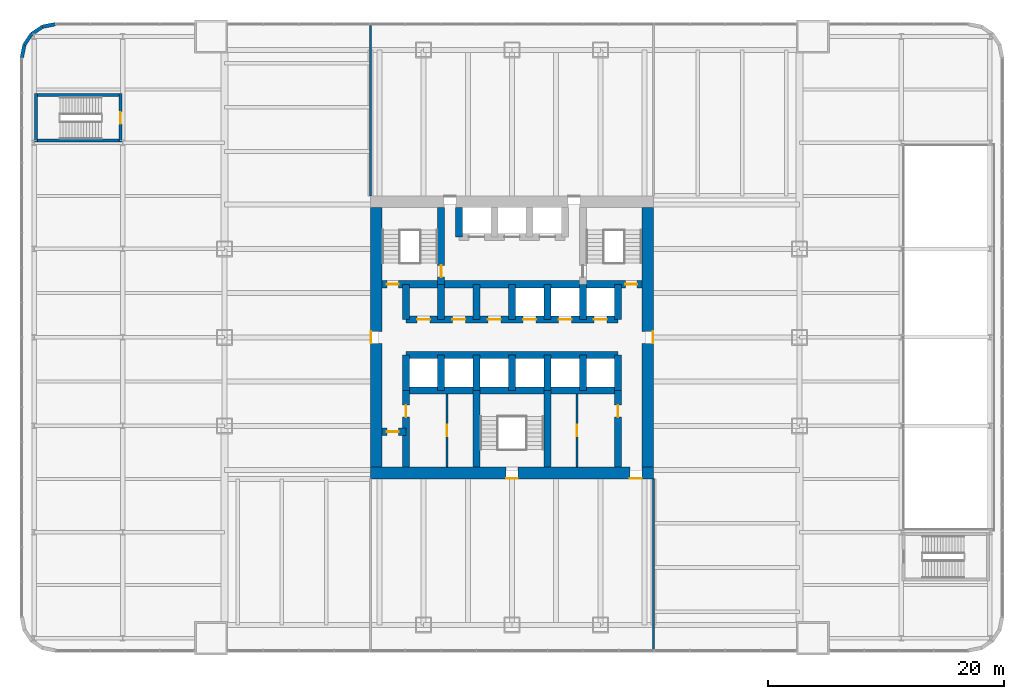
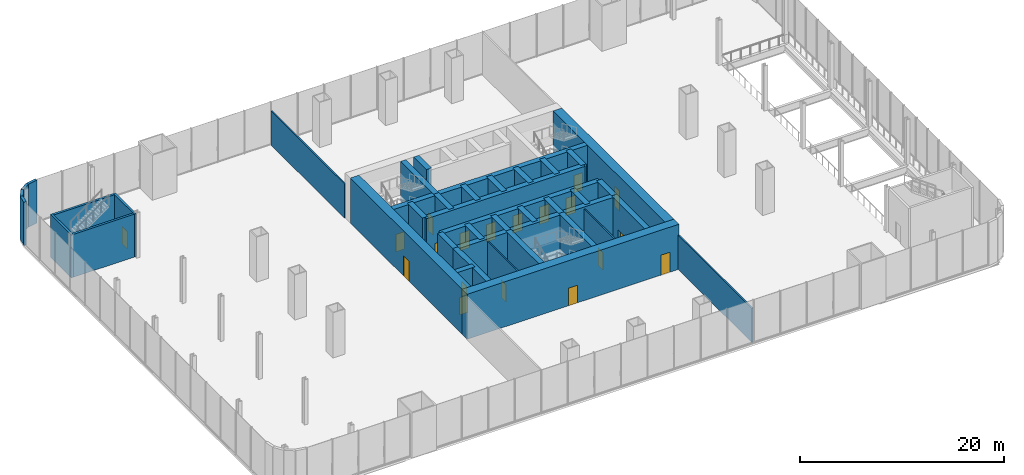
# One storey, part 12 of 16: 40 walls, 19 doors, 19 openings.
"""IFC4 building model written with IfcOpenShell, lengths in metres."""

import ifcopenshell
import ifcopenshell.guid

model = None  # the IFC model being written
_history = None  # IfcOwnerHistory: only IFC2X3 demands one
_inside = {}  # id of a spatial element -> (the spatial element, [elements in it])
_under = {}  # id of a project, library or spatial element -> (it, [spatial elements below it])
_declared = {}  # id of a project -> (the project, [libraries it declares])
_typed = {}  # id of a type object -> (the type object, [elements of that type])
_made_of = {}  # id of a material, layer set ... -> (it, [elements and type objects made of it])


def new_model(schema):
    """Start an empty IFC model of exactly this schema.

    Asked for "IFC4X3", IfcOpenShell would pick the latest addendum, in which some entities
    have other attributes; the version numbers below select the first issue.
    IFC2X3 requires an IfcOwnerHistory on every rooted entity: one is made here for all.
    """
    global model, _history
    if schema == "IFC4X3":
        model = ifcopenshell.file(schema_version=(4, 3, 0, 0))
    else:
        model = ifcopenshell.file(schema=schema)
    _inside.clear()
    _under.clear()
    _declared.clear()
    _typed.clear()
    _made_of.clear()
    _history = None
    if model.schema == "IFC2X3":
        org = make("IfcOrganization", Name="unknown")
        user = make(
            "IfcPersonAndOrganization",
            ThePerson=make("IfcPerson", FamilyName="unknown"),
            TheOrganization=org,
        )
        app = make(
            "IfcApplication",
            ApplicationDeveloper=org,
            Version="unknown",
            ApplicationFullName="unknown",
            ApplicationIdentifier="unknown",
        )
        _history = make(
            "IfcOwnerHistory",
            OwningUser=user,
            OwningApplication=app,
            ChangeAction="ADDED",
            CreationDate=0,
        )
    return model


def make(cls, **values):
    """One entity of the class cls with the attributes given. An attribute that is None is left unset."""
    return model.create_entity(
        cls, **{name: value for name, value in values.items() if value is not None}
    )


def rooted(cls, **values):
    """An entity with a GlobalId (a new one), such as an element, a storey or a relation."""
    return make(cls, GlobalId=ifcopenshell.guid.new(), OwnerHistory=_history, **values)


def si_unit(unit_type, name, prefix=None):
    """IfcSIUnit, for example si_unit("LENGTHUNIT", "METRE", prefix="MILLI")."""
    return make("IfcSIUnit", UnitType=unit_type, Prefix=prefix, Name=name)


def assignment(units):
    """IfcUnitAssignment: the units of a project."""
    return None if units is None else make("IfcUnitAssignment", Units=units)


def point(xyz):
    """IfcCartesianPoint."""
    return None if xyz is None else make("IfcCartesianPoint", Coordinates=xyz)


def direction(xyz):
    """IfcDirection."""
    return None if xyz is None else make("IfcDirection", DirectionRatios=xyz)


def frame(location, z_axis=None, x_axis=None):
    """IfcAxis2Placement3D, a coordinate frame: its origin and axes. An axis left out is left unset."""
    return make(
        "IfcAxis2Placement3D",
        Location=point(location),
        Axis=direction(z_axis),
        RefDirection=direction(x_axis),
    )


def frame_2d(location, x_axis=None):
    """IfcAxis2Placement2D, a coordinate frame in the plane: its origin and x axis."""
    return make(
        "IfcAxis2Placement2D", Location=point(location), RefDirection=direction(x_axis)
    )


def origin():
    """The frame at (0, 0, 0) with its axes left unset."""
    return frame((0.0, 0.0, 0.0))


def place(relative_to, where):
    """IfcLocalPlacement: puts the frame where relative to a parent placement (None: the world)."""
    return make(
        "IfcLocalPlacement", PlacementRelTo=relative_to, RelativePlacement=where
    )


def context(
    kind, dimensions, precision=None, world=None, true_north=None, identifier=None
):
    """IfcGeometricRepresentationContext, for example the 3D "Model" context."""
    return make(
        "IfcGeometricRepresentationContext",
        ContextIdentifier=identifier,
        ContextType=kind,
        CoordinateSpaceDimension=dimensions,
        Precision=precision,
        WorldCoordinateSystem=world,
        TrueNorth=true_north,
    )


def subcontext(parent, identifier, kind, view, scale=None):
    """IfcGeometricRepresentationSubContext, for example "Body" below "Model"."""
    return make(
        "IfcGeometricRepresentationSubContext",
        ContextIdentifier=identifier,
        ContextType=kind,
        ParentContext=parent,
        TargetScale=scale,
        TargetView=view,
    )


def project(units=None, contexts=None):
    """IfcProject with its units and contexts."""
    return rooted(
        "IfcProject",
        Name="project",
        RepresentationContexts=contexts,
        UnitsInContext=assignment(units),
    )


def spatial(cls, under=None, at=None, **own):
    """A site, building, storey or space (cls), placed at a placement, below another one or the project."""
    s = rooted(cls, ObjectPlacement=at, **own)
    if under is not None:
        _under.setdefault(under.id(), (under, []))[1].append(s)
    return s


def profile(cls, at=None, kind="AREA", **sizes):
    """A parametric profile (cls). Its sizes go by their IFC names, for example OverallWidth=200.0."""
    return make(cls, ProfileType=kind, Position=at, **sizes)


def rectangle(**sizes):
    """IfcRectangleProfileDef."""
    return profile("IfcRectangleProfileDef", **sizes)


def extrude(swept, where, along, depth):
    """IfcExtrudedAreaSolid: the profile swept, set in the frame where, extruded along a direction by depth."""
    return make(
        "IfcExtrudedAreaSolid",
        SweptArea=swept,
        Position=where,
        ExtrudedDirection=direction(along),
        Depth=depth,
    )


def shape(context_of_items, identifier, shape_type, items):
    """IfcShapeRepresentation: the items that make up one representation, for example the "Body"."""
    return make(
        "IfcShapeRepresentation",
        ContextOfItems=context_of_items,
        RepresentationIdentifier=identifier,
        RepresentationType=shape_type,
        Items=items,
    )


def material(Name=None, Category=None):
    """IfcMaterial."""
    return make("IfcMaterial", Name=Name, Category=Category)


def layer(
    of_material, thickness, ventilated=None, Name=None, Category=None, Priority=None
):
    """IfcMaterialLayer: one layer of a wall or slab, of a material (None: an air gap)."""
    return make(
        "IfcMaterialLayer",
        Material=of_material,
        LayerThickness=thickness,
        IsVentilated=ventilated,
        Name=Name,
        Category=Category,
        Priority=Priority,
    )


def layer_set(layers, Name=None):
    """IfcMaterialLayerSet."""
    return make("IfcMaterialLayerSet", MaterialLayers=layers, LayerSetName=Name)


def made_of(thing, what):
    """Note that an element or type object is made of a material, layer set ...; save() writes the relation."""
    if what is not None:
        _made_of.setdefault(what.id(), (what, []))[1].append(thing)
    return thing


def type_object(cls, material=None, **own):
    """A type object (cls), such as IfcWallType, which elements share."""
    return made_of(rooted(cls, **own), material)


def element(
    cls,
    number,
    at=None,
    inside=None,
    cuts=None,
    type_object=None,
    material=None,
    context=None,
    identifier="Body",
    shape_type=None,
    held_by="IfcProductDefinitionShape",
    body=None,
    shapes=None,
    **own,
):
    """One element of the class cls, such as IfcWall. Its Tag is "e" and its number.

    at: its placement. inside: the storey or other place that contains it. cuts: it is an
    opening in that element (IfcRelVoidsElement). A single representation is given by context,
    identifier, shape_type and body (its items); several are given by shapes. held_by: the class
    of the entity that holds the representations. save() writes the other relations.
    """
    e = rooted(cls, Tag="e%d" % number, ObjectPlacement=at, **own)
    if body is not None:
        shapes = [shape(context, identifier, shape_type, body)]
    if shapes is not None:
        e.Representation = make(held_by, Representations=shapes)
    if inside is not None:
        _inside.setdefault(inside.id(), (inside, []))[1].append(e)
    if cuts is not None:
        rooted(
            "IfcRelVoidsElement", RelatingBuildingElement=cuts, RelatedOpeningElement=e
        )
    if type_object is not None:
        _typed.setdefault(type_object.id(), (type_object, []))[1].append(e)
    return made_of(e, material)


def fill(opening, filler):
    """IfcRelFillsElement: the door or window that sits in an opening."""
    return rooted(
        "IfcRelFillsElement",
        RelatingOpeningElement=opening,
        RelatedBuildingElement=filler,
    )


def aggregate(whole, parts):
    """IfcRelAggregates: a whole, such as a stair, and the parts it consists of."""
    return rooted("IfcRelAggregates", RelatingObject=whole, RelatedObjects=parts)


def save(model, path):
    """Write the relations noted so far, then the file.

    IfcRelAggregates (storeys below a building ...), IfcRelContainedInSpatialStructure (elements
    in a storey), IfcRelDefinesByType, IfcRelAssociatesMaterial and IfcRelDeclares: one each for
    every whole, place, type object, material and project.
    """
    for whole, parts in _under.values():
        aggregate(whole, parts)
    for where, things in _inside.values():
        rooted(
            "IfcRelContainedInSpatialStructure",
            RelatedElements=things,
            RelatingStructure=where,
        )
    for kind, things in _typed.values():
        rooted("IfcRelDefinesByType", RelatedObjects=things, RelatingType=kind)
    for what, things in _made_of.values():
        rooted("IfcRelAssociatesMaterial", RelatedObjects=things, RelatingMaterial=what)
    for by, libraries in _declared.values():
        rooted("IfcRelDeclares", RelatingContext=by, RelatedDefinitions=libraries)
    model.write(path)


model = new_model("IFC4")

# Units and contexts
model_context = context("Model", 3, precision=1e-05, world=origin(), true_north=direction((0.0, 1.0)))
body_context = subcontext(model_context, "Body", "Model", "MODEL_VIEW")
ifc_project = project(units=[si_unit("LENGTHUNIT", "METRE"), si_unit("AREAUNIT", "SQUARE_METRE"), si_unit("VOLUMEUNIT", "CUBIC_METRE"), si_unit("PLANEANGLEUNIT", "RADIAN"), si_unit("MASSUNIT", "GRAM", prefix="KILO")], contexts=[model_context])

# Site, building, storey
site_placement = place(None, origin())
site = spatial("IfcSite", under=ifc_project, at=site_placement, CompositionType="ELEMENT")
building_placement = place(site_placement, origin())
building = spatial("IfcBuilding", under=site, at=building_placement, Name="Tarangal Relay Tower", CompositionType="ELEMENT")
storey_placement = place(building_placement, frame((0.0, 0.0, 12.60009765625)))
storey = spatial("IfcBuildingStorey", under=building, at=storey_placement, Name="L02", CompositionType="ELEMENT", Elevation=12.60009765625)

# Wall, openings, doors
ifc_material_1 = material(Name="Concrete fc' 60 MPa", Category="concrete")
ifc_layer_1 = layer(ifc_material_1, 0.60009765625)
ifc_layer_set_1 = layer_set([ifc_layer_1], Name="Core inner wall 600")
wall_type_1 = type_object("IfcWallType", Name="Core inner wall 600", PredefinedType="SHEAR", material=ifc_layer_set_1)
wall_1_placement = place(storey_placement, frame((-11.0, 4.5, 0.0), z_axis=(0.0, 0.0, 1.0), x_axis=(1.0, 0.0, 0.0)))
wall_1 = element("IfcWall", 1, at=wall_1_placement, inside=storey, type_object=wall_type_1, Name="Core wall Y45 L02", PredefinedType="SHEAR", context=body_context, shape_type="SweptSolid", body=[
    extrude(rectangle(XDim=22.0, YDim=0.60009765625, at=frame_2d((11.0, 0.0))), origin(), (0.0, 0.0, 1.0), 5.39990234375),
])
opening_1_placement = place(wall_1_placement, frame((0.39990234375, 0.0, 0.0)))
opening_1 = element("IfcOpeningElement", 2, at=opening_1_placement, cuts=wall_1, Name="Opening FD1", PredefinedType="OPENING", context=body_context, shape_type="SweptSolid", body=[
    extrude(rectangle(XDim=1.0, YDim=2.10009765625, at=frame_2d((0.5, 1.050048828125))), frame((0.0, 0.31005859375, 0.0), z_axis=(0.0, -1.0, 0.0), x_axis=(1.0, 0.0, 0.0)), (0.0, 0.0, 1.0), 0.6201171875),
])
opening_2_placement = place(wall_1_placement, frame((20.60009765625, 0.0, 0.0)))
opening_2 = element("IfcOpeningElement", 3, at=opening_2_placement, cuts=wall_1, Name="Opening FD1", PredefinedType="OPENING", context=body_context, shape_type="SweptSolid", body=[
    extrude(rectangle(XDim=1.0, YDim=2.10009765625, at=frame_2d((0.5, 1.050048828125))), frame((0.0, 0.31005859375, 0.0), z_axis=(0.0, -1.0, 0.0), x_axis=(1.0, 0.0, 0.0)), (0.0, 0.0, 1.0), 0.6201171875),
])
ifc_material_2 = material(Name="Steel door with hardwood frame", Category="steel")
door_type_1 = type_object("IfcDoorType", Name="Fire door 1000 x 2100", OperationType="SINGLE_SWING_LEFT", PredefinedType="DOOR", material=ifc_material_2)
door_1_placement = place(opening_1_placement, origin())
door_1 = element("IfcDoor", 4, at=door_1_placement, inside=storey, type_object=door_type_1, Name="Stair ST-A door from corridor L02", OperationType="SINGLE_SWING_LEFT", OverallHeight=2.10009765625, OverallWidth=1.0, PredefinedType="DOOR", context=body_context, shape_type="SweptSolid", body=[
    extrude(rectangle(XDim=1.0, YDim=2.10009765625, at=frame_2d((0.5, 1.050048828125))), frame((0.0, 0.02490234375, 0.0), z_axis=(0.0, -1.0, 0.0), x_axis=(1.0, 0.0, 0.0)), (0.0, 0.0, 1.0), 0.050048828125),
])
fill(opening_1, door_1)
door_2_placement = place(opening_2_placement, origin())
door_2 = element("IfcDoor", 5, at=door_2_placement, inside=storey, type_object=door_type_1, Name="Stair ST-B door from corridor L02", OperationType="SINGLE_SWING_LEFT", OverallHeight=2.10009765625, OverallWidth=1.0, PredefinedType="DOOR", context=body_context, shape_type="SweptSolid", body=[
    extrude(rectangle(XDim=1.0, YDim=2.10009765625, at=frame_2d((0.5, 1.050048828125))), frame((0.0, 0.02490234375, 0.0), z_axis=(0.0, -1.0, 0.0), x_axis=(1.0, 0.0, 0.0)), (0.0, 0.0, 1.0), 0.050048828125),
])
fill(opening_2, door_2)

wall_2_placement = place(storey_placement, frame((-9.0, 1.5, 0.0), z_axis=(0.0, 0.0, 1.0), x_axis=(1.0, 0.0, 0.0)))
wall_2 = element("IfcWall", 6, at=wall_2_placement, inside=storey, type_object=wall_type_1, Name="Core wall Y15 L02", PredefinedType="SHEAR", context=body_context, shape_type="SweptSolid", body=[
    extrude(rectangle(XDim=18.0, YDim=0.60009765625, at=frame_2d((9.0, 0.0))), origin(), (0.0, 0.0, 1.0), 5.39990234375),
])
opening_3_placement = place(wall_2_placement, frame((9.949951171875, 0.0, 0.0)))
opening_3 = element("IfcOpeningElement", 7, at=opening_3_placement, cuts=wall_2, Name="Opening LD1", PredefinedType="OPENING", context=body_context, shape_type="SweptSolid", body=[
    extrude(rectangle(XDim=1.10009765625, YDim=2.10009765625, at=frame_2d((0.550048828125, 1.050048828125))), frame((0.0, 0.31005859375, 0.0), z_axis=(0.0, -1.0, 0.0), x_axis=(1.0, 0.0, 0.0)), (0.0, 0.0, 1.0), 0.6201171875),
])
opening_4_placement = place(wall_2_placement, frame((12.949951171875, 0.0, 0.0)))
opening_4 = element("IfcOpeningElement", 8, at=opening_4_placement, cuts=wall_2, Name="Opening LD1", PredefinedType="OPENING", context=body_context, shape_type="SweptSolid", body=[
    extrude(rectangle(XDim=1.10009765625, YDim=2.10009765625, at=frame_2d((0.550048828125, 1.050048828125))), frame((0.0, 0.31005859375, 0.0), z_axis=(0.0, -1.0, 0.0), x_axis=(1.0, 0.0, 0.0)), (0.0, 0.0, 1.0), 0.6201171875),
])
opening_5_placement = place(wall_2_placement, frame((15.949951171875, 0.0, 0.0)))
opening_5 = element("IfcOpeningElement", 9, at=opening_5_placement, cuts=wall_2, Name="Opening LD1", PredefinedType="OPENING", context=body_context, shape_type="SweptSolid", body=[
    extrude(rectangle(XDim=1.10009765625, YDim=2.10009765625, at=frame_2d((0.550048828125, 1.050048828125))), frame((0.0, 0.31005859375, 0.0), z_axis=(0.0, -1.0, 0.0), x_axis=(1.0, 0.0, 0.0)), (0.0, 0.0, 1.0), 0.6201171875),
])
opening_6_placement = place(wall_2_placement, frame((0.949951171875, 0.0, 0.0)))
opening_6 = element("IfcOpeningElement", 10, at=opening_6_placement, cuts=wall_2, Name="Opening D4", PredefinedType="OPENING", context=body_context, shape_type="SweptSolid", body=[
    extrude(rectangle(XDim=1.10009765625, YDim=2.10009765625, at=frame_2d((0.550048828125, 1.050048828125))), frame((0.0, 0.31005859375, 0.0), z_axis=(0.0, -1.0, 0.0), x_axis=(1.0, 0.0, 0.0)), (0.0, 0.0, 1.0), 0.6201171875),
])
opening_7_placement = place(wall_2_placement, frame((3.949951171875, 0.0, 0.0)))
opening_7 = element("IfcOpeningElement", 11, at=opening_7_placement, cuts=wall_2, Name="Opening D4", PredefinedType="OPENING", context=body_context, shape_type="SweptSolid", body=[
    extrude(rectangle(XDim=1.10009765625, YDim=2.10009765625, at=frame_2d((0.550048828125, 1.050048828125))), frame((0.0, 0.31005859375, 0.0), z_axis=(0.0, -1.0, 0.0), x_axis=(1.0, 0.0, 0.0)), (0.0, 0.0, 1.0), 0.6201171875),
])
opening_8_placement = place(wall_2_placement, frame((6.949951171875, 0.0, 0.0)))
opening_8 = element("IfcOpeningElement", 12, at=opening_8_placement, cuts=wall_2, Name="Opening D4", PredefinedType="OPENING", context=body_context, shape_type="SweptSolid", body=[
    extrude(rectangle(XDim=1.10009765625, YDim=2.10009765625, at=frame_2d((0.550048828125, 1.050048828125))), frame((0.0, 0.31005859375, 0.0), z_axis=(0.0, -1.0, 0.0), x_axis=(1.0, 0.0, 0.0)), (0.0, 0.0, 1.0), 0.6201171875),
])
door_type_2 = type_object("IfcDoorType", Name="Core room door 1100 x 2100", OperationType="SINGLE_SWING_RIGHT", PredefinedType="DOOR", material=ifc_material_2)
door_3_placement = place(opening_6_placement, origin())
door_3 = element("IfcDoor", 13, at=door_3_placement, inside=storey, type_object=door_type_2, Name="Door D4 to cleaner's store L02-D1", OperationType="SINGLE_SWING_RIGHT", OverallHeight=2.10009765625, OverallWidth=1.10009765625, PredefinedType="DOOR", context=body_context, shape_type="SweptSolid", body=[
    extrude(rectangle(XDim=1.10009765625, YDim=2.10009765625, at=frame_2d((0.550048828125, 1.050048828125))), frame((0.0, 0.02490234375, 0.0), z_axis=(0.0, -1.0, 0.0), x_axis=(1.0, 0.0, 0.0)), (0.0, 0.0, 1.0), 0.050048828125),
])
fill(opening_6, door_3)
door_4_placement = place(opening_7_placement, origin())
door_4 = element("IfcDoor", 14, at=door_4_placement, inside=storey, type_object=door_type_2, Name="Door D4 to staff wc L02-D2", OperationType="SINGLE_SWING_RIGHT", OverallHeight=2.10009765625, OverallWidth=1.10009765625, PredefinedType="DOOR", context=body_context, shape_type="SweptSolid", body=[
    extrude(rectangle(XDim=1.10009765625, YDim=2.10009765625, at=frame_2d((0.550048828125, 1.050048828125))), frame((0.0, 0.02490234375, 0.0), z_axis=(0.0, -1.0, 0.0), x_axis=(1.0, 0.0, 0.0)), (0.0, 0.0, 1.0), 0.050048828125),
])
fill(opening_7, door_4)
door_5_placement = place(opening_8_placement, origin())
door_5 = element("IfcDoor", 15, at=door_5_placement, inside=storey, type_object=door_type_2, Name="Door D4 to staff pantry L02-D3", OperationType="SINGLE_SWING_RIGHT", OverallHeight=2.10009765625, OverallWidth=1.10009765625, PredefinedType="DOOR", context=body_context, shape_type="SweptSolid", body=[
    extrude(rectangle(XDim=1.10009765625, YDim=2.10009765625, at=frame_2d((0.550048828125, 1.050048828125))), frame((0.0, 0.02490234375, 0.0), z_axis=(0.0, -1.0, 0.0), x_axis=(1.0, 0.0, 0.0)), (0.0, 0.0, 1.0), 0.050048828125),
])
fill(opening_8, door_5)
door_type_3 = type_object("IfcDoorType", Name="Lift landing door 1100 x 2100", OperationType="SLIDING_TO_LEFT", PredefinedType="DOOR", material=ifc_material_2)
door_6_placement = place(opening_3_placement, origin())
door_6 = element("IfcDoor", 16, at=door_6_placement, inside=storey, type_object=door_type_3, Name="Lift T1 landing door L02", OperationType="SLIDING_TO_LEFT", OverallHeight=2.10009765625, OverallWidth=1.10009765625, PredefinedType="DOOR", context=body_context, shape_type="SweptSolid", body=[
    extrude(rectangle(XDim=1.10009765625, YDim=2.10009765625, at=frame_2d((0.550048828125, 1.050048828125))), frame((0.0, 0.02490234375, 0.0), z_axis=(0.0, -1.0, 0.0), x_axis=(1.0, 0.0, 0.0)), (0.0, 0.0, 1.0), 0.050048828125),
])
fill(opening_3, door_6)
door_7_placement = place(opening_4_placement, origin())
door_7 = element("IfcDoor", 17, at=door_7_placement, inside=storey, type_object=door_type_3, Name="Lift T2 landing door L02", OperationType="SLIDING_TO_LEFT", OverallHeight=2.10009765625, OverallWidth=1.10009765625, PredefinedType="DOOR", context=body_context, shape_type="SweptSolid", body=[
    extrude(rectangle(XDim=1.10009765625, YDim=2.10009765625, at=frame_2d((0.550048828125, 1.050048828125))), frame((0.0, 0.02490234375, 0.0), z_axis=(0.0, -1.0, 0.0), x_axis=(1.0, 0.0, 0.0)), (0.0, 0.0, 1.0), 0.050048828125),
])
fill(opening_4, door_7)
door_8_placement = place(opening_5_placement, origin())
door_8 = element("IfcDoor", 18, at=door_8_placement, inside=storey, type_object=door_type_3, Name="Lift T3 landing door L02", OperationType="SLIDING_TO_LEFT", OverallHeight=2.10009765625, OverallWidth=1.10009765625, PredefinedType="DOOR", context=body_context, shape_type="SweptSolid", body=[
    extrude(rectangle(XDim=1.10009765625, YDim=2.10009765625, at=frame_2d((0.550048828125, 1.050048828125))), frame((0.0, 0.02490234375, 0.0), z_axis=(0.0, -1.0, 0.0), x_axis=(1.0, 0.0, 0.0)), (0.0, 0.0, 1.0), 0.050048828125),
])
fill(opening_5, door_8)

# Walls
for number, where, z_axis, x_axis, name in (
    (19, (-9.0, -1.5, 0.0), (0.0, 0.0, 1.0), (1.0, 0.0, 0.0), "Core wall YM15 L02"),
    (20, (-9.0, -4.5, 0.0), (0.0, 0.0, 1.0), (1.0, 0.0, 0.0), "Core wall YM45 L02"),
):
    element("IfcWall", number, at=place(storey_placement, frame(where, z_axis=z_axis, x_axis=x_axis)), inside=storey, type_object=wall_type_1, Name=name, PredefinedType="SHEAR", context=body_context, shape_type="SweptSolid", body=[
        extrude(rectangle(XDim=18.0, YDim=0.60009765625, at=frame_2d((9.0, 0.0))), origin(), (0.0, 0.0, 1.0), 5.39990234375),
    ])

# Wall, opening, door
wall_3_placement = place(storey_placement, frame((-11.0, -8.0, 0.0), z_axis=(0.0, 0.0, 1.0), x_axis=(1.0, 0.0, 0.0)))
wall_3 = element("IfcWall", 21, at=wall_3_placement, inside=storey, type_object=wall_type_1, Name="Core wall YM8 L02", PredefinedType="SHEAR", context=body_context, shape_type="SweptSolid", body=[
    extrude(rectangle(XDim=2.0, YDim=0.60009765625, at=frame_2d((1.0, 0.0))), origin(), (0.0, 0.0, 1.0), 5.39990234375),
])
opening_9_placement = place(wall_3_placement, frame((0.39990234375, 0.0, 0.0)))
opening_9 = element("IfcOpeningElement", 22, at=opening_9_placement, cuts=wall_3, Name="Opening D1", PredefinedType="OPENING", context=body_context, shape_type="SweptSolid", body=[
    extrude(rectangle(XDim=1.0, YDim=2.10009765625, at=frame_2d((0.5, 1.050048828125))), frame((0.0, 0.31005859375, 0.0), z_axis=(0.0, -1.0, 0.0), x_axis=(1.0, 0.0, 0.0)), (0.0, 0.0, 1.0), 0.6201171875),
])
ifc_material_3 = material(Name="Hardwood door", Category="wood")
door_type_4 = type_object("IfcDoorType", Name="WC door 1000 x 2100", OperationType="SINGLE_SWING_LEFT", PredefinedType="DOOR", material=ifc_material_3)
door_9_placement = place(opening_9_placement, origin())
door_9 = element("IfcDoor", 23, at=door_9_placement, inside=storey, type_object=door_type_4, Name="Accessible WC door L02", OperationType="SINGLE_SWING_LEFT", OverallHeight=2.10009765625, OverallWidth=1.0, PredefinedType="DOOR", context=body_context, shape_type="SweptSolid", body=[
    extrude(rectangle(XDim=1.0, YDim=2.10009765625, at=frame_2d((0.5, 1.050048828125))), frame((0.0, 0.02490234375, 0.0), z_axis=(0.0, -1.0, 0.0), x_axis=(1.0, 0.0, 0.0)), (0.0, 0.0, 1.0), 0.050048828125),
])
fill(opening_9, door_9)

# Walls
for number, where, z_axis, x_axis, name in (
    (24, (-9.0, 1.5, 0.0), (0.0, 0.0, 1.0), (0.0, 1.0, 0.0), "Core wall XM9N L02"),
    (25, (9.0, 1.5, 0.0), (0.0, 0.0, 1.0), (0.0, 1.0, 0.0), "Core wall X9N L02"),
    (26, (-9.0, -4.5, 0.0), (0.0, 0.0, 1.0), (0.0, 1.0, 0.0), "Core wall XM9S L02"),
    (27, (9.0, -4.5, 0.0), (0.0, 0.0, 1.0), (0.0, 1.0, 0.0), "Core wall X9S L02"),
    (28, (-6.0, 1.5, 0.0), (0.0, 0.0, 1.0), (0.0, 1.0, 0.0), "Core wall XM6N L02"),
    (29, (-3.0, 1.5, 0.0), (0.0, 0.0, 1.0), (0.0, 1.0, 0.0), "Core wall XM3N L02"),
    (30, (0.0, 1.5, 0.0), (0.0, 0.0, 1.0), (0.0, 1.0, 0.0), "Core wall X0N L02"),
    (31, (3.0, 1.5, 0.0), (0.0, 0.0, 1.0), (0.0, 1.0, 0.0), "Core wall X3N L02"),
    (32, (6.0, 1.5, 0.0), (0.0, 0.0, 1.0), (0.0, 1.0, 0.0), "Core wall X6N L02"),
    (33, (-6.0, -4.5, 0.0), (0.0, 0.0, 1.0), (0.0, 1.0, 0.0), "Core wall XM6S L02"),
    (34, (-3.0, -4.5, 0.0), (0.0, 0.0, 1.0), (0.0, 1.0, 0.0), "Core wall XM3S L02"),
    (35, (0.0, -4.5, 0.0), (0.0, 0.0, 1.0), (0.0, 1.0, 0.0), "Core wall X0S L02"),
    (36, (3.0, -4.5, 0.0), (0.0, 0.0, 1.0), (0.0, 1.0, 0.0), "Core wall X3S L02"),
    (37, (6.0, -4.5, 0.0), (0.0, 0.0, 1.0), (0.0, 1.0, 0.0), "Core wall X6S L02"),
):
    element("IfcWall", number, at=place(storey_placement, frame(where, z_axis=z_axis, x_axis=x_axis)), inside=storey, type_object=wall_type_1, Name=name, PredefinedType="SHEAR", context=body_context, shape_type="SweptSolid", body=[
        extrude(rectangle(XDim=3.0, YDim=0.60009765625, at=frame_2d((1.5, 0.0))), origin(), (0.0, 0.0, 1.0), 5.39990234375),
    ])

# Wall, opening, door
wall_4_placement = place(storey_placement, frame((-6.0, 4.5, 0.0), z_axis=(0.0, 0.0, 1.0), x_axis=(0.0, 1.0, 0.0)))
wall_4 = element("IfcWall", 38, at=wall_4_placement, inside=storey, type_object=wall_type_1, Name="Core wall XM6 L02", PredefinedType="SHEAR", context=body_context, shape_type="SweptSolid", body=[
    extrude(rectangle(XDim=6.5, YDim=0.60009765625, at=frame_2d((3.25, 0.0))), origin(), (0.0, 0.0, 1.0), 5.39990234375),
])
opening_10_placement = place(wall_4_placement, frame((0.60009765625, 0.0, 0.0)))
opening_10 = element("IfcOpeningElement", 39, at=opening_10_placement, cuts=wall_4, Name="Opening FD1", PredefinedType="OPENING", context=body_context, shape_type="SweptSolid", body=[
    extrude(rectangle(XDim=1.0, YDim=2.10009765625, at=frame_2d((0.5, 1.050048828125))), frame((0.0, 0.31005859375, 0.0), z_axis=(0.0, -1.0, 0.0), x_axis=(1.0, 0.0, 0.0)), (0.0, 0.0, 1.0), 0.6201171875),
])
door_10_placement = place(opening_10_placement, origin())
door_10 = element("IfcDoor", 40, at=door_10_placement, inside=storey, type_object=door_type_1, Name="Stair ST-A door from fire-fighting lobby L02", OperationType="SINGLE_SWING_LEFT", OverallHeight=2.10009765625, OverallWidth=1.0, PredefinedType="DOOR", context=body_context, shape_type="SweptSolid", body=[
    extrude(rectangle(XDim=1.0, YDim=2.10009765625, at=frame_2d((0.5, 1.050048828125))), frame((0.0, 0.02490234375, 0.0), z_axis=(0.0, -1.0, 0.0), x_axis=(1.0, 0.0, 0.0)), (0.0, 0.0, 1.0), 0.050048828125),
])
fill(opening_10, door_10)

# Wall
wall_5_placement = place(storey_placement, frame((-4.5, 8.5, 0.0), z_axis=(0.0, 0.0, 1.0), x_axis=(0.0, 1.0, 0.0)))
element("IfcWall", 41, at=wall_5_placement, inside=storey, type_object=wall_type_1, Name="Core wall XM45 L02", PredefinedType="SHEAR", context=body_context, shape_type="SweptSolid", body=[
    extrude(rectangle(XDim=2.5, YDim=0.60009765625, at=frame_2d((1.25, 0.0))), origin(), (0.0, 0.0, 1.0), 5.39990234375),
])

# Wall, opening, door
wall_6_placement = place(storey_placement, frame((-9.0, -11.0, 0.0), z_axis=(0.0, 0.0, 1.0), x_axis=(0.0, 1.0, 0.0)))
wall_6 = element("IfcWall", 42, at=wall_6_placement, inside=storey, type_object=wall_type_1, Name="Core wall XM9W L02", PredefinedType="SHEAR", context=body_context, shape_type="SweptSolid", body=[
    extrude(rectangle(XDim=6.5, YDim=0.60009765625, at=frame_2d((3.25, 0.0))), origin(), (0.0, 0.0, 1.0), 5.39990234375),
])
opening_11_placement = place(wall_6_placement, frame((4.25, 0.0, 0.0)))
opening_11 = element("IfcOpeningElement", 43, at=opening_11_placement, cuts=wall_6, Name="Opening D1", PredefinedType="OPENING", context=body_context, shape_type="SweptSolid", body=[
    extrude(rectangle(XDim=1.0, YDim=2.10009765625, at=frame_2d((0.5, 1.050048828125))), frame((0.0, 0.31005859375, 0.0), z_axis=(0.0, -1.0, 0.0), x_axis=(1.0, 0.0, 0.0)), (0.0, 0.0, 1.0), 0.6201171875),
])
door_11_placement = place(opening_11_placement, origin())
door_11 = element("IfcDoor", 44, at=door_11_placement, inside=storey, type_object=door_type_4, Name="Male WC door L02", OperationType="SINGLE_SWING_LEFT", OverallHeight=2.10009765625, OverallWidth=1.0, PredefinedType="DOOR", context=body_context, shape_type="SweptSolid", body=[
    extrude(rectangle(XDim=1.0, YDim=2.10009765625, at=frame_2d((0.5, 1.050048828125))), frame((0.0, 0.02490234375, 0.0), z_axis=(0.0, -1.0, 0.0), x_axis=(1.0, 0.0, 0.0)), (0.0, 0.0, 1.0), 0.050048828125),
])
fill(opening_11, door_11)

wall_7_placement = place(storey_placement, frame((9.0, -11.0, 0.0), z_axis=(0.0, 0.0, 1.0), x_axis=(0.0, 1.0, 0.0)))
wall_7 = element("IfcWall", 45, at=wall_7_placement, inside=storey, type_object=wall_type_1, Name="Core wall X9W L02", PredefinedType="SHEAR", context=body_context, shape_type="SweptSolid", body=[
    extrude(rectangle(XDim=6.5, YDim=0.60009765625, at=frame_2d((3.25, 0.0))), origin(), (0.0, 0.0, 1.0), 5.39990234375),
])
opening_12_placement = place(wall_7_placement, frame((4.25, 0.0, 0.0)))
opening_12 = element("IfcOpeningElement", 46, at=opening_12_placement, cuts=wall_7, Name="Opening D1", PredefinedType="OPENING", context=body_context, shape_type="SweptSolid", body=[
    extrude(rectangle(XDim=1.0, YDim=2.10009765625, at=frame_2d((0.5, 1.050048828125))), frame((0.0, 0.31005859375, 0.0), z_axis=(0.0, -1.0, 0.0), x_axis=(1.0, 0.0, 0.0)), (0.0, 0.0, 1.0), 0.6201171875),
])
door_12_placement = place(opening_12_placement, origin())
door_12 = element("IfcDoor", 47, at=door_12_placement, inside=storey, type_object=door_type_4, Name="Female WC door L02", OperationType="SINGLE_SWING_LEFT", OverallHeight=2.10009765625, OverallWidth=1.0, PredefinedType="DOOR", context=body_context, shape_type="SweptSolid", body=[
    extrude(rectangle(XDim=1.0, YDim=2.10009765625, at=frame_2d((0.5, 1.050048828125))), frame((0.0, 0.02490234375, 0.0), z_axis=(0.0, -1.0, 0.0), x_axis=(1.0, 0.0, 0.0)), (0.0, 0.0, 1.0), 0.050048828125),
])
fill(opening_12, door_12)

# Walls
for number, where, z_axis, x_axis, name in (
    (48, (-3.0, -11.0, 0.0), (0.0, 0.0, 1.0), (0.0, 1.0, 0.0), "Core wall XM3W L02"),
    (49, (3.0, -11.0, 0.0), (0.0, 0.0, 1.0), (0.0, 1.0, 0.0), "Core wall X3W L02"),
):
    element("IfcWall", number, at=place(storey_placement, frame(where, z_axis=z_axis, x_axis=x_axis)), inside=storey, type_object=wall_type_1, Name=name, PredefinedType="SHEAR", context=body_context, shape_type="SweptSolid", body=[
        extrude(rectangle(XDim=6.5, YDim=0.60009765625, at=frame_2d((3.25, 0.0))), origin(), (0.0, 0.0, 1.0), 5.39990234375),
    ])

# Wall, openings, doors
ifc_layer_2 = layer(ifc_material_1, 1.0)
ifc_layer_set_2 = layer_set([ifc_layer_2], Name="Core wall 1000")
wall_type_2 = type_object("IfcWallType", Name="Core wall 1000", PredefinedType="SHEAR", material=ifc_layer_set_2)
wall_8_placement = place(storey_placement, frame((12.0, -11.5, 0.0), z_axis=(0.0, 0.0, 1.0), x_axis=(-1.0, 0.0, 0.0)))
wall_8 = element("IfcWall", 50, at=wall_8_placement, inside=storey, type_object=wall_type_2, Name="Core wall S L02", PredefinedType="SHEAR", context=body_context, shape_type="SweptSolid", body=[
    extrude(rectangle(XDim=24.0, YDim=1.0, at=frame_2d((12.0, 0.0))), origin(), (0.0, 0.0, 1.0), 5.39990234375),
])
opening_13_placement = place(wall_8_placement, frame((11.5, 0.0, 0.0)))
opening_13 = element("IfcOpeningElement", 51, at=opening_13_placement, cuts=wall_8, Name="Opening FD1", PredefinedType="OPENING", context=body_context, shape_type="SweptSolid", body=[
    extrude(rectangle(XDim=1.0, YDim=2.10009765625, at=frame_2d((0.5, 1.050048828125))), frame((0.0, 0.510009765625, 0.0), z_axis=(0.0, -1.0, 0.0), x_axis=(1.0, 0.0, 0.0)), (0.0, 0.0, 1.0), 1.02001953125),
])
opening_14_placement = place(wall_8_placement, frame((1.0, 0.0, 0.0)))
opening_14 = element("IfcOpeningElement", 52, at=opening_14_placement, cuts=wall_8, Name="Opening FD3", PredefinedType="OPENING", context=body_context, shape_type="SweptSolid", body=[
    extrude(rectangle(XDim=1.0, YDim=2.39990234375, at=frame_2d((0.5, 1.199951171875))), frame((0.0, 0.510009765625, 0.0), z_axis=(0.0, -1.0, 0.0), x_axis=(1.0, 0.0, 0.0)), (0.0, 0.0, 1.0), 1.02001953125),
])
door_13_placement = place(opening_13_placement, origin())
door_13 = element("IfcDoor", 53, at=door_13_placement, inside=storey, type_object=door_type_1, Name="Stair ST-C door L02", OperationType="SINGLE_SWING_LEFT", OverallHeight=2.10009765625, OverallWidth=1.0, PredefinedType="DOOR", context=body_context, shape_type="SweptSolid", body=[
    extrude(rectangle(XDim=1.0, YDim=2.10009765625, at=frame_2d((0.5, 1.050048828125))), frame((0.0, 0.48486328125, 0.0), z_axis=(0.0, -1.0, 0.0), x_axis=(1.0, 0.0, 0.0)), (0.0, 0.0, 1.0), 0.050048828125),
])
fill(opening_13, door_13)
door_type_5 = type_object("IfcDoorType", Name="Fire door 1000 x 2400 core entry", OperationType="SINGLE_SWING_RIGHT", PredefinedType="DOOR", material=ifc_material_2)
door_14_placement = place(opening_14_placement, origin())
door_14 = element("IfcDoor", 54, at=door_14_placement, inside=storey, type_object=door_type_5, Name="Core entry door south east L02", OperationType="SINGLE_SWING_RIGHT", OverallHeight=2.39990234375, OverallWidth=1.0, PredefinedType="DOOR", context=body_context, shape_type="SweptSolid", body=[
    extrude(rectangle(XDim=1.0, YDim=2.39990234375, at=frame_2d((0.5, 1.199951171875))), frame((0.0, 0.48486328125, 0.0), z_axis=(0.0, -1.0, 0.0), x_axis=(1.0, 0.0, 0.0)), (0.0, 0.0, 1.0), 0.050048828125),
])
fill(opening_14, door_14)

# Wall, opening, door
wall_9_placement = place(storey_placement, frame((11.5, 11.0, 0.0), z_axis=(0.0, 0.0, 1.0), x_axis=(0.0, -1.0, 0.0)))
wall_9 = element("IfcWall", 55, at=wall_9_placement, inside=storey, type_object=wall_type_2, Name="Core wall E L02", PredefinedType="SHEAR", context=body_context, shape_type="SweptSolid", body=[
    extrude(rectangle(XDim=22.0, YDim=1.0, at=frame_2d((11.0, 0.0))), origin(), (0.0, 0.0, 1.0), 5.39990234375),
])
opening_15_placement = place(wall_9_placement, frame((10.5, 0.0, 0.0)))
opening_15 = element("IfcOpeningElement", 56, at=opening_15_placement, cuts=wall_9, Name="Opening FD3", PredefinedType="OPENING", context=body_context, shape_type="SweptSolid", body=[
    extrude(rectangle(XDim=1.0, YDim=2.39990234375, at=frame_2d((0.5, 1.199951171875))), frame((0.0, 0.510009765625, 0.0), z_axis=(0.0, -1.0, 0.0), x_axis=(1.0, 0.0, 0.0)), (0.0, 0.0, 1.0), 1.02001953125),
])
door_15_placement = place(opening_15_placement, origin())
door_15 = element("IfcDoor", 57, at=door_15_placement, inside=storey, type_object=door_type_5, Name="Core entry door east L02", OperationType="SINGLE_SWING_RIGHT", OverallHeight=2.39990234375, OverallWidth=1.0, PredefinedType="DOOR", context=body_context, shape_type="SweptSolid", body=[
    extrude(rectangle(XDim=1.0, YDim=2.39990234375, at=frame_2d((0.5, 1.199951171875))), frame((0.0, 0.48486328125, 0.0), z_axis=(0.0, -1.0, 0.0), x_axis=(1.0, 0.0, 0.0)), (0.0, 0.0, 1.0), 0.050048828125),
])
fill(opening_15, door_15)

wall_10_placement = place(storey_placement, frame((-11.5, -11.0, 0.0), z_axis=(0.0, 0.0, 1.0), x_axis=(0.0, 1.0, 0.0)))
wall_10 = element("IfcWall", 58, at=wall_10_placement, inside=storey, type_object=wall_type_2, Name="Core wall W L02", PredefinedType="SHEAR", context=body_context, shape_type="SweptSolid", body=[
    extrude(rectangle(XDim=22.0, YDim=1.0, at=frame_2d((11.0, 0.0))), origin(), (0.0, 0.0, 1.0), 5.39990234375),
])
opening_16_placement = place(wall_10_placement, frame((10.5, 0.0, 0.0)))
opening_16 = element("IfcOpeningElement", 59, at=opening_16_placement, cuts=wall_10, Name="Opening FD3", PredefinedType="OPENING", context=body_context, shape_type="SweptSolid", body=[
    extrude(rectangle(XDim=1.0, YDim=2.39990234375, at=frame_2d((0.5, 1.199951171875))), frame((0.0, 0.510009765625, 0.0), z_axis=(0.0, -1.0, 0.0), x_axis=(1.0, 0.0, 0.0)), (0.0, 0.0, 1.0), 1.02001953125),
])
door_16_placement = place(opening_16_placement, origin())
door_16 = element("IfcDoor", 60, at=door_16_placement, inside=storey, type_object=door_type_5, Name="Core entry door west L02", OperationType="SINGLE_SWING_RIGHT", OverallHeight=2.39990234375, OverallWidth=1.0, PredefinedType="DOOR", context=body_context, shape_type="SweptSolid", body=[
    extrude(rectangle(XDim=1.0, YDim=2.39990234375, at=frame_2d((0.5, 1.199951171875))), frame((0.0, 0.48486328125, 0.0), z_axis=(0.0, -1.0, 0.0), x_axis=(1.0, 0.0, 0.0)), (0.0, 0.0, 1.0), 0.050048828125),
])
fill(opening_16, door_16)

# Walls
ifc_material_4 = material(Name="Gypsum board on steel studs", Category="steel")
ifc_layer_3 = layer(ifc_material_4, 0.14990234375)
ifc_layer_set_3 = layer_set([ifc_layer_3], Name="Partition 150")
wall_type_3 = type_object("IfcWallType", Name="Partition 150", PredefinedType="PARTITIONING", material=ifc_layer_set_3)
for number, where, z_axis, x_axis, name in (
    (61, (-12.0, 12.0, 0.0), (0.0, 0.0, 1.0), (0.0, 1.0, 0.0), "Partition PT1 L02"),
    (62, (12.0, -12.0, 0.0), (0.0, 0.0, 1.0), (0.0, -1.0, 0.0), "Partition PT1 L02"),
):
    element("IfcWall", number, at=place(storey_placement, frame(where, z_axis=z_axis, x_axis=x_axis)), inside=storey, type_object=wall_type_3, Name=name, PredefinedType="PARTITIONING", context=body_context, shape_type="SweptSolid", body=[
        extrude(rectangle(XDim=14.449951171875, YDim=0.14990234375, at=frame_2d((7.22509765625, 0.0))), origin(), (0.0, 0.0, 1.0), 4.1083984375),
    ])

# Wall, opening, door
wall_11_placement = place(storey_placement, frame((-5.5, -11.0, 0.0), z_axis=(0.0, 0.0, 1.0), x_axis=(0.0, 1.0, 0.0)))
wall_11 = element("IfcWall", 63, at=wall_11_placement, inside=storey, type_object=wall_type_3, Name="Partition PT1 L02", PredefinedType="PARTITIONING", context=body_context, shape_type="SweptSolid", body=[
    extrude(rectangle(XDim=6.199951171875, YDim=0.14990234375, at=frame_2d((3.10009765625, 0.0))), origin(), (0.0, 0.0, 1.0), 5.14990234375),
])
opening_17_placement = place(wall_11_placement, frame((2.60009765625, 0.0, 0.0)))
opening_17 = element("IfcOpeningElement", 64, at=opening_17_placement, cuts=wall_11, Name="Opening D1", PredefinedType="OPENING", context=body_context, shape_type="SweptSolid", body=[
    extrude(rectangle(XDim=1.0, YDim=2.10009765625, at=frame_2d((0.5, 1.050048828125))), frame((0.0, 0.0849609375, 0.0), z_axis=(0.0, -1.0, 0.0), x_axis=(1.0, 0.0, 0.0)), (0.0, 0.0, 1.0), 0.169921875),
])
door_17_placement = place(opening_17_placement, origin())
door_17 = element("IfcDoor", 65, at=door_17_placement, inside=storey, type_object=door_type_4, Name="Door D1 to male shower and changing room L02-C7B", OperationType="SINGLE_SWING_LEFT", OverallHeight=2.10009765625, OverallWidth=1.0, PredefinedType="DOOR", context=body_context, shape_type="SweptSolid", body=[
    extrude(rectangle(XDim=1.0, YDim=2.10009765625, at=frame_2d((0.5, 1.050048828125))), frame((0.0, 0.02490234375, 0.0), z_axis=(0.0, -1.0, 0.0), x_axis=(1.0, 0.0, 0.0)), (0.0, 0.0, 1.0), 0.050048828125),
])
fill(opening_17, door_17)

wall_12_placement = place(storey_placement, frame((5.5, -11.0, 0.0), z_axis=(0.0, 0.0, 1.0), x_axis=(0.0, 1.0, 0.0)))
wall_12 = element("IfcWall", 66, at=wall_12_placement, inside=storey, type_object=wall_type_3, Name="Partition PT1 L02", PredefinedType="PARTITIONING", context=body_context, shape_type="SweptSolid", body=[
    extrude(rectangle(XDim=6.199951171875, YDim=0.14990234375, at=frame_2d((3.10009765625, 0.0))), origin(), (0.0, 0.0, 1.0), 5.14990234375),
])
opening_18_placement = place(wall_12_placement, frame((2.60009765625, 0.0, 0.0)))
opening_18 = element("IfcOpeningElement", 67, at=opening_18_placement, cuts=wall_12, Name="Opening D1", PredefinedType="OPENING", context=body_context, shape_type="SweptSolid", body=[
    extrude(rectangle(XDim=1.0, YDim=2.10009765625, at=frame_2d((0.5, 1.050048828125))), frame((0.0, 0.0849609375, 0.0), z_axis=(0.0, -1.0, 0.0), x_axis=(1.0, 0.0, 0.0)), (0.0, 0.0, 1.0), 0.169921875),
])
door_18_placement = place(opening_18_placement, origin())
door_18 = element("IfcDoor", 68, at=door_18_placement, inside=storey, type_object=door_type_4, Name="Door D1 to female shower and changing room L02-C10B", OperationType="SINGLE_SWING_LEFT", OverallHeight=2.10009765625, OverallWidth=1.0, PredefinedType="DOOR", context=body_context, shape_type="SweptSolid", body=[
    extrude(rectangle(XDim=1.0, YDim=2.10009765625, at=frame_2d((0.5, 1.050048828125))), frame((0.0, 0.02490234375, 0.0), z_axis=(0.0, -1.0, 0.0), x_axis=(1.0, 0.0, 0.0)), (0.0, 0.0, 1.0), 0.050048828125),
])
fill(opening_18, door_18)

# Walls
ifc_material_5 = material(Name="Black granite clad concrete wall", Category="masonry")
ifc_layer_4 = layer(ifc_material_5, 0.300048828125)
ifc_layer_set_4 = layer_set([ifc_layer_4], Name="Podium wall 300")
wall_type_4 = type_object("IfcWallType", Name="Podium wall 300", PredefinedType="SOLIDWALL", material=ifc_layer_set_4)
for number, where, z_axis, x_axis, name in (
    (69, (-38.699951171875, 26.550048828125, 0.0), (0.0, 0.0, 1.0), (-0.980766015647, -0.195187147506, 0.0), "Podium corner wall L02"),
    (70, (-39.79052734375, 26.3330078125, 0.0), (0.0, 0.0, 1.0), (-0.831577159616, -0.555409243355, 0.0), "Podium corner wall L02"),
    (71, (-40.71533203125, 25.71533203125, 0.0), (0.0, 0.0, 1.0), (-0.555409243355, -0.831577159616, 0.0), "Podium corner wall L02"),
    (72, (-41.3330078125, 24.79052734375, 0.0), (0.0, 0.0, 1.0), (-0.195187147506, -0.980766015647, 0.0), "Podium corner wall L02"),
):
    element("IfcWall", number, at=place(storey_placement, frame(where, z_axis=z_axis, x_axis=x_axis)), inside=storey, type_object=wall_type_4, Name=name, PredefinedType="SOLIDWALL", context=body_context, shape_type="SweptSolid", body=[
        extrude(rectangle(XDim=1.112060546875, YDim=0.300048828125, at=frame_2d((0.55615234375, 0.0))), origin(), (0.0, 0.0, 1.0), 5.14990234375),
    ])
ifc_material_6 = material(Name="Concrete blockwork", Category="masonry")
ifc_layer_5 = layer(ifc_material_6, 0.25)
ifc_layer_set_5 = layer_set([ifc_layer_5], Name="Stair enclosure wall 250")
wall_type_5 = type_object("IfcWallType", Name="Stair enclosure wall 250", PredefinedType="SOLIDWALL", material=ifc_layer_set_5)
wall_13_placement = place(storey_placement, frame((-40.324951171875, 16.550048828125, 0.0), z_axis=(0.0, 0.0, 1.0), x_axis=(0.0, 1.0, 0.0)))
element("IfcWall", 73, at=wall_13_placement, inside=storey, type_object=wall_type_5, Name="Stair ST-D enclosure wall L02", PredefinedType="SOLIDWALL", context=body_context, shape_type="SweptSolid", body=[
    extrude(rectangle(XDim=4.099853515625, YDim=0.25, at=frame_2d((2.0498046875, 0.0))), origin(), (0.0, 0.0, 1.0), 5.14990234375),
])

# Wall, opening, door
wall_14_placement = place(storey_placement, frame((-33.175048828125, 16.550048828125, 0.0), z_axis=(0.0, 0.0, 1.0), x_axis=(0.0, 1.0, 0.0)))
wall_14 = element("IfcWall", 74, at=wall_14_placement, inside=storey, type_object=wall_type_5, Name="Stair ST-D enclosure wall L02", PredefinedType="SOLIDWALL", context=body_context, shape_type="SweptSolid", body=[
    extrude(rectangle(XDim=4.099853515625, YDim=0.25, at=frame_2d((2.0498046875, 0.0))), origin(), (0.0, 0.0, 1.0), 5.14990234375),
])
opening_19_placement = place(wall_14_placement, frame((1.550048828125, 0.0, 0.0)))
opening_19 = element("IfcOpeningElement", 75, at=opening_19_placement, cuts=wall_14, Name="Opening FD1", PredefinedType="OPENING", context=body_context, shape_type="SweptSolid", body=[
    extrude(rectangle(XDim=1.0, YDim=2.10009765625, at=frame_2d((0.5, 1.050048828125))), frame((0.0, 0.135009765625, 0.0), z_axis=(0.0, -1.0, 0.0), x_axis=(1.0, 0.0, 0.0)), (0.0, 0.0, 1.0), 0.27001953125),
])
door_19_placement = place(opening_19_placement, origin())
door_19 = element("IfcDoor", 76, at=door_19_placement, inside=storey, type_object=door_type_1, Name="Stair ST-D door L02", OperationType="SINGLE_SWING_LEFT", OverallHeight=2.10009765625, OverallWidth=1.0, PredefinedType="DOOR", context=body_context, shape_type="SweptSolid", body=[
    extrude(rectangle(XDim=1.0, YDim=2.10009765625, at=frame_2d((0.5, 1.050048828125))), frame((0.0, 0.02490234375, 0.0), z_axis=(0.0, -1.0, 0.0), x_axis=(1.0, 0.0, 0.0)), (0.0, 0.0, 1.0), 0.050048828125),
])
fill(opening_19, door_19)

# Walls
for number, where, z_axis, x_axis, name in (
    (77, (-40.199951171875, 16.675048828125, 0.0), (0.0, 0.0, 1.0), (1.0, 0.0, 0.0), "Stair ST-D enclosure wall L02"),
    (78, (-40.199951171875, 20.52490234375, 0.0), (0.0, 0.0, 1.0), (1.0, 0.0, 0.0), "Stair ST-D enclosure wall L02"),
):
    element("IfcWall", number, at=place(storey_placement, frame(where, z_axis=z_axis, x_axis=x_axis)), inside=storey, type_object=wall_type_5, Name=name, PredefinedType="SOLIDWALL", context=body_context, shape_type="SweptSolid", body=[
        extrude(rectangle(XDim=6.89990234375, YDim=0.25, at=frame_2d((3.449951171875, 0.0))), origin(), (0.0, 0.0, 1.0), 5.14990234375),
    ])

save(model, "model.ifc")
